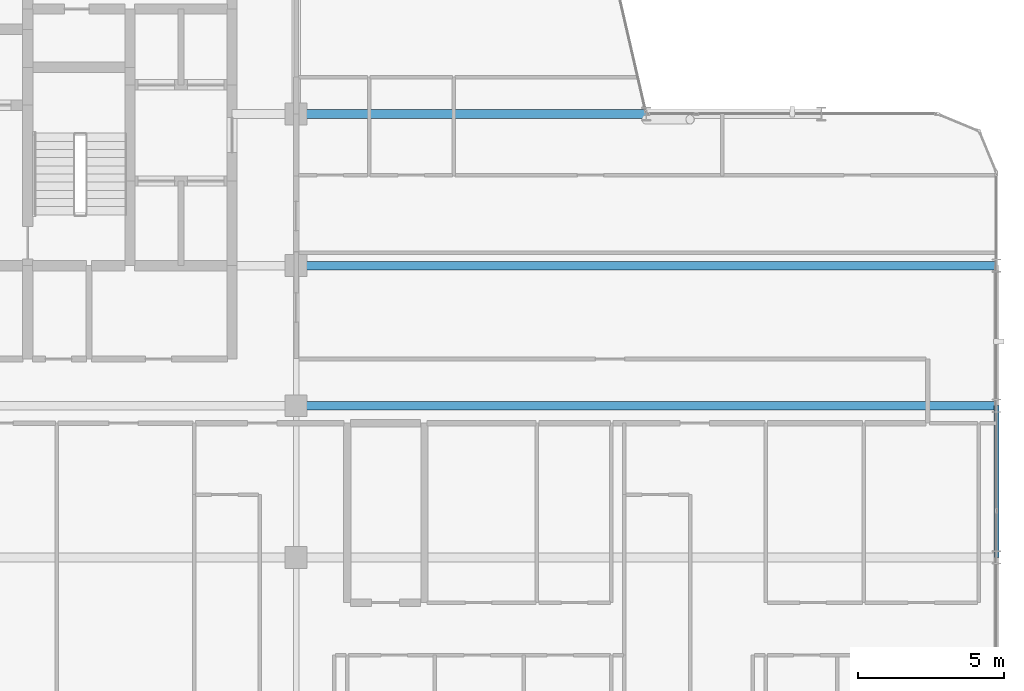
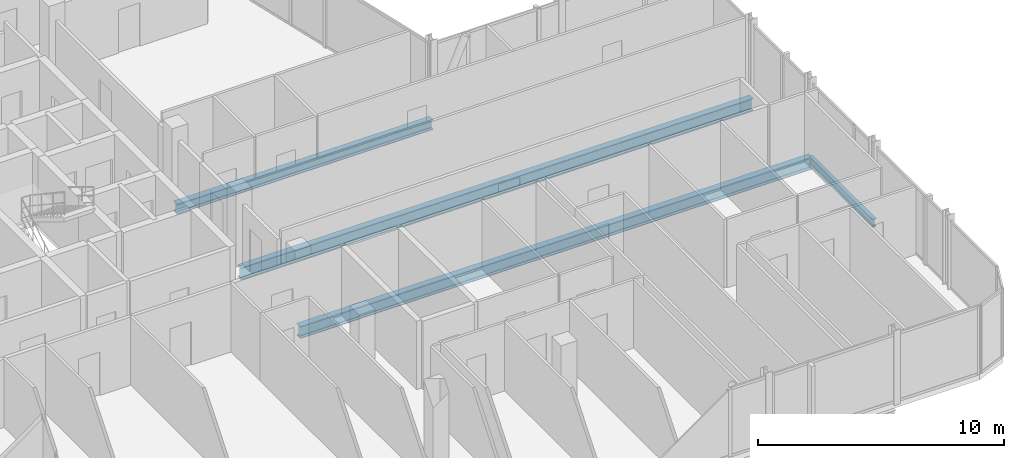
# One storey, part 13 of 29: 4 beams.
"""IFC4 building model written with IfcOpenShell, lengths in metres."""

from ifc_helpers import new_model, si_unit, direction, frame, origin, origin_2d, place, context, subcontext, project, spatial, i_section, extrude, material, material_profile, profile_set, type_object, element, save


model = new_model("IFC4")

# Units and contexts
model_context = context("Model", 3, precision=1e-05, world=origin(), true_north=direction((0.0, 1.0)))
body_context = subcontext(model_context, "Body", "Model", "MODEL_VIEW")
ifc_project = project(units=[si_unit("LENGTHUNIT", "METRE"), si_unit("AREAUNIT", "SQUARE_METRE"), si_unit("VOLUMEUNIT", "CUBIC_METRE"), si_unit("PLANEANGLEUNIT", "RADIAN"), si_unit("MASSUNIT", "GRAM", prefix="KILO")], contexts=[model_context])

# Site, building, storey
site_placement = place(None, origin())
site = spatial("IfcSite", under=ifc_project, at=site_placement, CompositionType="ELEMENT")
building_placement = place(site_placement, origin())
building = spatial("IfcBuilding", under=site, at=building_placement, Name="Keshet Zoharim Tower", CompositionType="ELEMENT")
storey_placement = place(building_placement, frame((0.0, 0.0, 210.60009765625)))
storey = spatial("IfcBuildingStorey", under=building, at=storey_placement, Name="L52", CompositionType="ELEMENT", Elevation=210.60009765625)

# Beams
ifc_material = material(Name="Steel S355", Category="steel")
ifc_material_profile_1 = material_profile(ifc_material, i_section(OverallWidth=0.300048828125, OverallDepth=0.60009765625, WebThickness=0.015380859375, FlangeThickness=0.030029296875, FilletRadius=0.027099609375, at=origin_2d()), Name="HEB600")
ifc_profile_set_1 = profile_set([ifc_material_profile_1], Name="Steel S355")
beam_type_1 = type_object("IfcBeamType", Name="BM-LNG-HB600", PredefinedType="BEAM", material=ifc_profile_set_1)
for number, where, z_axis, x_axis, name in (
    (1, (33.0, 17.89990234375, -0.610107421875), (1.0, 0.0, 0.0), (0.0, 1.0, 0.0), "L52 Primary Girder X-013"),
    (2, (33.0, 22.699951171875, -0.610107421875), (1.0, 0.0, 0.0), (0.0, 1.0, 0.0), "L52 Primary Girder X-014"),
):
    element("IfcBeam", number, at=place(storey_placement, frame(where, z_axis=z_axis, x_axis=x_axis)), inside=storey, type_object=beam_type_1, Name=name, PredefinedType="BEAM", context=body_context, shape_type="SweptSolid", body=[
        extrude(i_section(OverallWidth=0.300048828125, OverallDepth=0.60009765625, WebThickness=0.015380859375, FlangeThickness=0.030029296875, FilletRadius=0.027099609375, at=origin_2d()), origin(), (0.0, 0.0, 1.0), 24.0),
    ])
ifc_material_profile_2 = material_profile(ifc_material, i_section(OverallWidth=0.300048828125, OverallDepth=0.5, WebThickness=0.014404296875, FlangeThickness=0.028076171875, FilletRadius=0.027099609375, at=origin_2d()), Name="HEB500")
ifc_profile_set_2 = profile_set([ifc_material_profile_2], Name="Steel S355")
beam_type_2 = type_object("IfcBeamType", Name="BM-MED-HB500", PredefinedType="BEAM", material=ifc_profile_set_2)
beam_1_placement = place(storey_placement, frame((33.0, 27.89990234375, -0.56005859375), z_axis=(1.0, 0.0, 0.0), x_axis=(0.0, 1.0, 0.0)))
element("IfcBeam", 3, at=beam_1_placement, inside=storey, type_object=beam_type_2, Name="L52 Primary Girder X-015", PredefinedType="BEAM", context=body_context, shape_type="SweptSolid", body=[
    extrude(i_section(OverallWidth=0.300048828125, OverallDepth=0.5, WebThickness=0.014404296875, FlangeThickness=0.028076171875, FilletRadius=0.027099609375, at=origin_2d()), origin(), (0.0, 0.0, 1.0), 12.0),
])
ifc_material_profile_3 = material_profile(ifc_material, i_section(OverallWidth=0.179931640625, OverallDepth=0.39990234375, WebThickness=0.008544921875, FlangeThickness=0.013427734375, FilletRadius=0.02099609375, at=origin_2d()), Name="IPE400")
ifc_profile_set_3 = profile_set([ifc_material_profile_3], Name="Steel S355")
beam_type_3 = type_object("IfcBeamType", Name="BM-PRI-IP400", PredefinedType="BEAM", material=ifc_profile_set_3)
beam_2_placement = place(storey_placement, frame((57.0, 12.699951171875, -0.510009765625), z_axis=(0.0, 1.0, 0.0), x_axis=(-1.0, 0.0, 0.0)))
element("IfcBeam", 4, at=beam_2_placement, inside=storey, type_object=beam_type_3, Name="L52 Primary Girder Y-014", PredefinedType="BEAM", context=body_context, shape_type="SweptSolid", body=[
    extrude(i_section(OverallWidth=0.179931640625, OverallDepth=0.39990234375, WebThickness=0.008544921875, FlangeThickness=0.013427734375, FilletRadius=0.02099609375, at=origin_2d()), origin(), (0.0, 0.0, 1.0), 5.199951171875),
])

save(model, "model.ifc")
